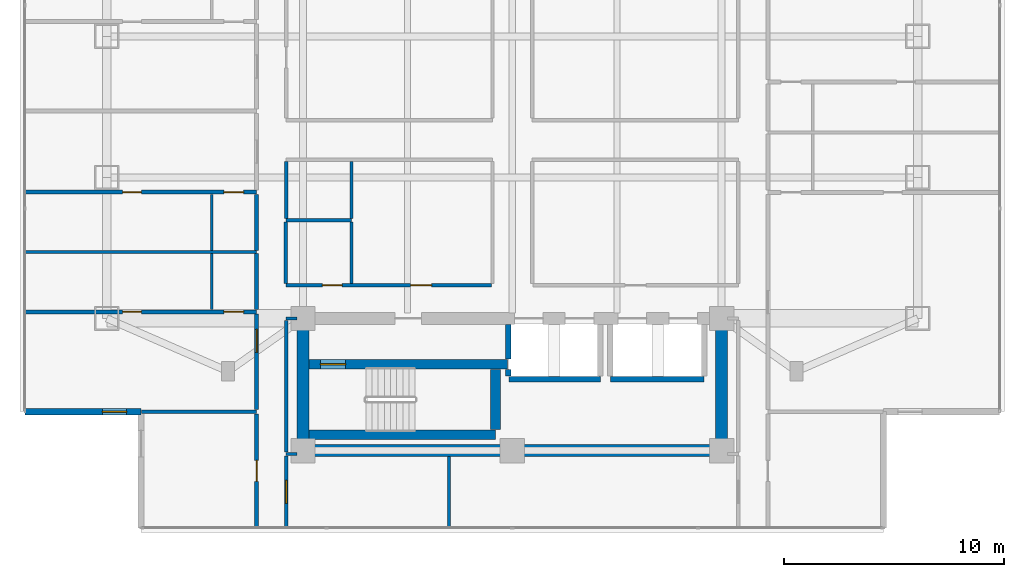
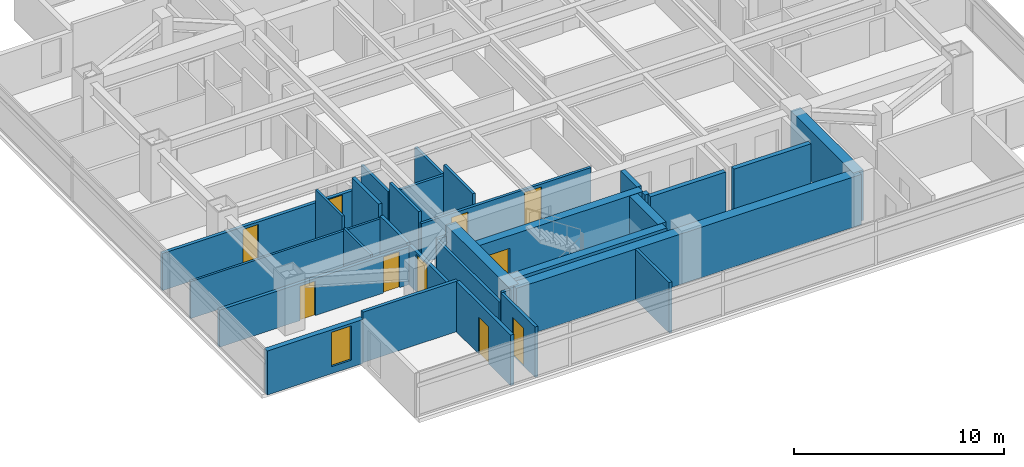
# One storey, part 13 of 24: 32 walls, 10 doors, 1 window, 11 openings.
"""IFC4 building model written with IfcOpenShell, lengths in metres."""

from ifc_helpers import new_model, si_unit, direction, frame, frame_2d, origin, place, context, subcontext, project, spatial, rectangle, extrude, material, layer, layer_set, type_object, element, fill, save


model = new_model("IFC4")

# Units and contexts
model_context = context("Model", 3, precision=1e-05, world=origin(), true_north=direction((0.0, 1.0)))
body_context = subcontext(model_context, "Body", "Model", "MODEL_VIEW")
ifc_project = project(units=[si_unit("LENGTHUNIT", "METRE"), si_unit("AREAUNIT", "SQUARE_METRE"), si_unit("VOLUMEUNIT", "CUBIC_METRE"), si_unit("PLANEANGLEUNIT", "RADIAN"), si_unit("MASSUNIT", "GRAM", prefix="KILO")], contexts=[model_context])

# Site, building, storey
site_placement = place(None, origin())
site = spatial("IfcSite", under=ifc_project, at=site_placement, CompositionType="ELEMENT")
building_placement = place(site_placement, origin())
building = spatial("IfcBuilding", under=site, at=building_placement, Name="Mirazonda Arch Towers", CompositionType="ELEMENT")
storey_placement = place(building_placement, frame((0.0, 0.0, 144.5)))
storey = spatial("IfcBuildingStorey", under=building, at=storey_placement, Name="L41", CompositionType="ELEMENT", Elevation=144.5)

# Wall
ifc_material_1 = material(Name="Concrete C50/60", Category="concrete")
ifc_layer_1 = layer(ifc_material_1, 0.449951171875, Name="WALL-CORE-450")
ifc_layer_set_1 = layer_set([ifc_layer_1], Name="Concrete C50/60")
wall_type_1 = type_object("IfcWallType", Name="WALL-CORE-450", PredefinedType="SHEAR", material=ifc_layer_set_1)
wall_1_placement = place(storey_placement, frame((11.27001953125, 13.1201171875, 0.0), z_axis=(0.0, 0.0, 1.0), x_axis=(1.0, 0.0, 0.0)))
element("IfcWall", 1, at=wall_1_placement, inside=storey, type_object=wall_type_1, Name="L41 Stair Core Shear Wall 003", PredefinedType="SHEAR", context=body_context, shape_type="SweptSolid", body=[
    extrude(rectangle(XDim=8.4599609375, YDim=0.449951171875, at=frame_2d((4.22998046875, 0.0))), origin(), (0.0, 0.0, 1.0), 2.93994140625),
])

# Wall, opening, door
wall_2_placement = place(storey_placement, frame((11.27001953125, 16.320068359375, 0.0), z_axis=(0.0, 0.0, 1.0), x_axis=(1.0, 0.0, 0.0)))
wall_2 = element("IfcWall", 2, at=wall_2_placement, inside=storey, type_object=wall_type_1, Name="L41 Stair Core Shear Wall 008", PredefinedType="SHEAR", context=body_context, shape_type="SweptSolid", body=[
    extrude(rectangle(XDim=9.010009765625, YDim=0.449951171875, at=frame_2d((4.5048828125, 0.0))), origin(), (0.0, 0.0, 1.0), 2.93994140625),
])
opening_1_placement = place(wall_2_placement, frame((0.52001953125, 0.0, 0.0)))
opening_1 = element("IfcOpeningElement", 3, at=opening_1_placement, cuts=wall_2, Name="Opening DR-135", PredefinedType="OPENING", context=body_context, shape_type="SweptSolid", body=[
    extrude(rectangle(XDim=1.14990234375, YDim=2.199951171875, at=frame_2d((0.574951171875, 1.10009765625))), frame((0.0, 0.23486328125, 0.0), z_axis=(0.0, -1.0, 0.0), x_axis=(1.0, 0.0, 0.0)), (0.0, 0.0, 1.0), 0.469970703125),
])
ifc_material_2 = material(Name="Architectural Brushed Steel S355", Category="steel")
door_type_1 = type_object("IfcDoorType", Name="DOOR-STAIR-FD90-1150", OperationType="NOTDEFINED", PredefinedType="DOOR", material=ifc_material_2)
door_1_placement = place(opening_1_placement, origin())
door_1 = element("IfcDoor", 4, at=door_1_placement, inside=storey, type_object=door_type_1, Name="L41 Protected Exit Stair South Door", OperationType="SINGLE_SWING_RIGHT", OverallHeight=2.199951171875, OverallWidth=1.14990234375, PredefinedType="DOOR", context=body_context, shape_type="SweptSolid", body=[
    extrude(rectangle(XDim=1.14990234375, YDim=2.199951171875, at=frame_2d((0.574951171875, 1.10009765625))), frame((0.0, 0.02490234375, 0.0), z_axis=(0.0, -1.0, 0.0), x_axis=(1.0, 0.0, 0.0)), (0.0, 0.0, 1.0), 0.050048828125),
])
fill(opening_1, door_1)

# Walls
wall_3_placement = place(storey_placement, frame((19.72998046875, 13.35498046875, 0.0), z_axis=(0.0, 0.0, 1.0), x_axis=(0.0, 1.0, 0.0)))
element("IfcWall", 5, at=wall_3_placement, inside=storey, type_object=wall_type_1, Name="L41 Stair Core Shear Wall 092", PredefinedType="SHEAR", context=body_context, shape_type="SweptSolid", body=[
    extrude(rectangle(XDim=2.72998046875, YDim=0.449951171875, at=frame_2d((1.364990234375, 0.0))), origin(), (0.0, 0.0, 1.0), 2.93994140625),
])
ifc_layer_2 = layer(ifc_material_1, 0.550048828125, Name="WALL-CORE-550")
ifc_layer_set_2 = layer_set([ifc_layer_2], Name="Concrete C50/60")
wall_type_2 = type_object("IfcWallType", Name="WALL-CORE-550", PredefinedType="SHEAR", material=ifc_layer_set_2)
wall_4_placement = place(storey_placement, frame((11.0, 12.39990234375, 0.0), z_axis=(0.0, 0.0, 1.0), x_axis=(1.0, 0.0, 0.0)))
element("IfcWall", 6, at=wall_4_placement, inside=storey, type_object=wall_type_2, Name="L41 T1S-S Core Shear Wall", PredefinedType="SHEAR", context=body_context, shape_type="SweptSolid", body=[
    extrude(rectangle(XDim=19.0, YDim=0.550048828125, at=frame_2d((9.5, 0.0))), origin(), (0.0, 0.0, 1.0), 2.93994140625),
])
for number, where, z_axis, x_axis, name in (
    (7, (11.0, 12.39990234375, 0.0), (0.0, 0.0, 1.0), (0.0, 1.0, 0.0), "L41 T1S-W Core Shear Wall"),
    (8, (30.0, 12.39990234375, 0.0), (0.0, 0.0, 1.0), (0.0, 1.0, 0.0), "L41 T1S-E Core Shear Wall"),
):
    element("IfcWall", number, at=place(storey_placement, frame(where, z_axis=z_axis, x_axis=x_axis)), inside=storey, type_object=wall_type_2, Name=name, PredefinedType="SHEAR", context=body_context, shape_type="SweptSolid", body=[
        extrude(rectangle(XDim=6.0, YDim=0.550048828125, at=frame_2d((3.0, 0.0))), origin(), (0.0, 0.0, 1.0), 2.93994140625),
    ])

# Wall, opening, window
ifc_material_3 = material(Name="Precast Concrete C40/50", Category="concrete")
ifc_layer_3 = layer(ifc_material_3, 0.280029296875, Name="WALL-EXT-WALL-280")
ifc_layer_set_3 = layer_set([ifc_layer_3], Name="Precast Concrete C40/50")
wall_type_3 = type_object("IfcWallType", Name="WALL-EXT-WALL-280", PredefinedType="SOLIDWALL", material=ifc_layer_set_3)
wall_5_placement = place(storey_placement, frame((-1.6201171875, 14.166015625, 0.0), z_axis=(0.0, 0.0, 1.0), x_axis=(1.0, 0.0, 0.0)))
wall_5 = element("IfcWall", 9, at=wall_5_placement, inside=storey, type_object=wall_type_3, Name="L41 T1 Corner Notch Return Wall WL-L41-T1-CSW2", PredefinedType="SOLIDWALL", context=body_context, shape_type="SweptSolid", body=[
    extrude(rectangle(XDim=5.27001953125, YDim=0.280029296875, at=frame_2d((2.635009765625, 0.0))), origin(), (0.0, 0.0, 1.0), 2.56005859375),
])
opening_2_placement = place(wall_5_placement, frame((3.52001953125, 0.0, 0.409912109375)))
opening_2 = element("IfcOpeningElement", 10, at=opening_2_placement, cuts=wall_5, Name="Opening WN-108", PredefinedType="OPENING", context=body_context, shape_type="SweptSolid", body=[
    extrude(rectangle(XDim=1.10009765625, YDim=2.0, at=frame_2d((0.550048828125, 1.0))), frame((0.0, 0.14990234375, 0.0), z_axis=(0.0, -1.0, 0.0), x_axis=(1.0, 0.0, 0.0)), (0.0, 0.0, 1.0), 0.300048828125),
])
ifc_material_4 = material(Name="Insulated Low-E Solar Glass", Category="glass")
window_type = type_object("IfcWindowType", Name="WIN-NOTCH-1100x2000", PartitioningType="SINGLE_PANEL", PredefinedType="WINDOW", material=ifc_material_4)
window_placement = place(opening_2_placement, origin())
window = element("IfcWindow", 11, at=window_placement, inside=storey, type_object=window_type, Name="L41 Punched Facade Window WN-L41-T1-CSW2", OverallHeight=2.0, OverallWidth=1.10009765625, PartitioningType="SINGLE_PANEL", PredefinedType="WINDOW", context=body_context, shape_type="SweptSolid", body=[
    extrude(rectangle(XDim=1.10009765625, YDim=2.0, at=frame_2d((0.550048828125, 1.0))), frame((0.0, 0.030029296875, 0.0), z_axis=(0.0, -1.0, 0.0), x_axis=(1.0, 0.0, 0.0)), (0.0, 0.0, 1.0), 0.06005859375),
])
fill(opening_2, window)

# Walls
ifc_material_5 = material(Name="Fire-Rated Gypsum Stud Partition")
ifc_layer_4 = layer(ifc_material_5, 0.14990234375, Name="WALL-PART-CORR-150")
ifc_layer_set_4 = layer_set([ifc_layer_4], Name="Fire-Rated Gypsum Stud Partition")
wall_type_4 = type_object("IfcWallType", Name="WALL-PART-CORR-150", PredefinedType="PARTITIONING", material=ifc_layer_set_4)
wall_6_placement = place(storey_placement, frame((10.239990234375, 12.25, 0.0), z_axis=(0.0, 0.0, 1.0), x_axis=(1.0, 0.0, 0.0)))
element("IfcWall", 12, at=wall_6_placement, inside=storey, type_object=wall_type_4, Name="L41 Interior Partition 001", PredefinedType="PARTITIONING", context=body_context, shape_type="SweptSolid", body=[
    extrude(rectangle(XDim=0.489990234375, YDim=0.14990234375, at=frame_2d((0.2451171875, 0.0))), origin(), (0.0, 0.0, 1.0), 2.93994140625),
])
wall_7_placement = place(storey_placement, frame((10.239990234375, 18.39990234375, 0.0), z_axis=(0.0, 0.0, 1.0), x_axis=(1.0, 0.0, 0.0)))
element("IfcWall", 13, at=wall_7_placement, inside=storey, type_object=wall_type_4, Name="L41 Interior Partition 012", PredefinedType="PARTITIONING", context=body_context, shape_type="SweptSolid", body=[
    extrude(rectangle(XDim=0.489990234375, YDim=0.14990234375, at=frame_2d((0.2451171875, 0.0))), origin(), (0.0, 0.0, 1.0), 2.31591796875),
])

# Wall, openings, doors
wall_8_placement = place(storey_placement, frame((10.219970703125, 19.89990234375, 0.0), z_axis=(0.0, 0.0, 1.0), x_axis=(1.0, 0.0, 0.0)))
wall_8 = element("IfcWall", 14, at=wall_8_placement, inside=storey, type_object=wall_type_4, Name="L41 Interior Partition 016", PredefinedType="PARTITIONING", context=body_context, shape_type="SweptSolid", body=[
    extrude(rectangle(XDim=9.340087890625, YDim=0.14990234375, at=frame_2d((4.669921875, 0.0))), origin(), (0.0, 0.0, 1.0), 2.31591796875),
])
opening_3_placement = place(wall_8_placement, frame((1.659912109375, 0.0, 0.0)))
opening_3 = element("IfcOpeningElement", 15, at=opening_3_placement, cuts=wall_8, Name="Opening DR-120", PredefinedType="OPENING", context=body_context, shape_type="SweptSolid", body=[
    extrude(rectangle(XDim=0.89990234375, YDim=2.10009765625, at=frame_2d((0.449951171875, 1.050048828125))), frame((0.0, 0.0849609375, 0.0), z_axis=(0.0, -1.0, 0.0), x_axis=(1.0, 0.0, 0.0)), (0.0, 0.0, 1.0), 0.169921875),
])
opening_4_placement = place(wall_8_placement, frame((5.6650390625, 0.0, 0.0)))
opening_4 = element("IfcOpeningElement", 16, at=opening_4_placement, cuts=wall_8, Name="Opening DR-104", PredefinedType="OPENING", context=body_context, shape_type="SweptSolid", body=[
    extrude(rectangle(XDim=0.949951171875, YDim=2.14990234375, at=frame_2d((0.47509765625, 1.074951171875))), frame((0.0, 0.0849609375, 0.0), z_axis=(0.0, -1.0, 0.0), x_axis=(1.0, 0.0, 0.0)), (0.0, 0.0, 1.0), 0.169921875),
])
door_type_2 = type_object("IfcDoorType", Name="DOOR-ROOM-950", OperationType="NOTDEFINED", PredefinedType="DOOR", material=ifc_material_2)
door_2_placement = place(opening_4_placement, origin())
door_2 = element("IfcDoor", 17, at=door_2_placement, inside=storey, type_object=door_type_2, Name="L41 L41 West Courtyard Study Door", OperationType="SINGLE_SWING_RIGHT", OverallHeight=2.14990234375, OverallWidth=0.949951171875, PredefinedType="DOOR", context=body_context, shape_type="SweptSolid", body=[
    extrude(rectangle(XDim=0.949951171875, YDim=2.14990234375, at=frame_2d((0.47509765625, 1.074951171875))), frame((0.0, 0.02490234375, 0.0), z_axis=(0.0, -1.0, 0.0), x_axis=(1.0, 0.0, 0.0)), (0.0, 0.0, 1.0), 0.050048828125),
])
fill(opening_4, door_2)
door_type_3 = type_object("IfcDoorType", Name="DOOR-WC-900", OperationType="NOTDEFINED", PredefinedType="DOOR", material=ifc_material_2)
door_3_placement = place(opening_3_placement, origin())
door_3 = element("IfcDoor", 18, at=door_3_placement, inside=storey, type_object=door_type_3, Name="L41 Common Accessible WC Door", OperationType="SINGLE_SWING_LEFT", OverallHeight=2.10009765625, OverallWidth=0.89990234375, PredefinedType="DOOR", context=body_context, shape_type="SweptSolid", body=[
    extrude(rectangle(XDim=0.89990234375, YDim=2.10009765625, at=frame_2d((0.449951171875, 1.050048828125))), frame((0.0, 0.02490234375, 0.0), z_axis=(0.0, -1.0, 0.0), x_axis=(1.0, 0.0, 0.0)), (0.0, 0.0, 1.0), 0.050048828125),
])
fill(opening_3, door_3)

# Walls
wall_9_placement = place(storey_placement, frame((10.219970703125, 22.85009765625, 0.0), z_axis=(0.0, 0.0, 1.0), x_axis=(1.0, 0.0, 0.0)))
element("IfcWall", 19, at=wall_9_placement, inside=storey, type_object=wall_type_4, Name="L41 Interior Partition 024", PredefinedType="PARTITIONING", context=body_context, shape_type="SweptSolid", body=[
    extrude(rectangle(XDim=2.97998046875, YDim=0.14990234375, at=frame_2d((1.489990234375, 0.0))), origin(), (0.0, 0.0, 1.0), 2.31591796875),
])
wall_10_placement = place(storey_placement, frame((10.219970703125, 19.985107421875, 0.0), z_axis=(0.0, 0.0, 1.0), x_axis=(0.0, 1.0, 0.0)))
element("IfcWall", 20, at=wall_10_placement, inside=storey, type_object=wall_type_4, Name="L41 Interior Partition 077", PredefinedType="PARTITIONING", context=body_context, shape_type="SweptSolid", body=[
    extrude(rectangle(XDim=2.77978515625, YDim=0.14990234375, at=frame_2d((1.389892578125, 0.0))), origin(), (0.0, 0.0, 1.0), 2.93994140625),
])

# Wall, opening, door
wall_11_placement = place(storey_placement, frame((10.239990234375, 8.89599609375, 0.0), z_axis=(0.0, 0.0, 1.0), x_axis=(0.0, 1.0, 0.0)))
wall_11 = element("IfcWall", 21, at=wall_11_placement, inside=storey, type_object=wall_type_4, Name="L41 Interior Partition 078", PredefinedType="PARTITIONING", context=body_context, shape_type="SweptSolid", body=[
    extrude(rectangle(XDim=3.26904296875, YDim=0.14990234375, at=frame_2d((1.634521484375, 0.0))), origin(), (0.0, 0.0, 1.0), 2.93994140625),
])
opening_5_placement = place(wall_11_placement, frame((1.109619140625, 0.0, 0.0)))
opening_5 = element("IfcOpeningElement", 22, at=opening_5_placement, cuts=wall_11, Name="Opening DR-121", PredefinedType="OPENING", context=body_context, shape_type="SweptSolid", body=[
    extrude(rectangle(XDim=1.050048828125, YDim=2.199951171875, at=frame_2d((0.52490234375, 1.10009765625))), frame((0.0, 0.0849609375, 0.0), z_axis=(0.0, -1.0, 0.0), x_axis=(1.0, 0.0, 0.0)), (0.0, 0.0, 1.0), 0.169921875),
])
door_type_4 = type_object("IfcDoorType", Name="DOOR-SUITE-FD60-1050", OperationType="NOTDEFINED", PredefinedType="DOOR", material=ifc_material_2)
door_4_placement = place(opening_5_placement, origin())
door_4 = element("IfcDoor", 23, at=door_4_placement, inside=storey, type_object=door_type_4, Name="L41 South Horizon Lounge Minor Door", OperationType="SINGLE_SWING_RIGHT", OverallHeight=2.199951171875, OverallWidth=1.050048828125, PredefinedType="DOOR", context=body_context, shape_type="SweptSolid", body=[
    extrude(rectangle(XDim=1.050048828125, YDim=2.199951171875, at=frame_2d((0.52490234375, 1.10009765625))), frame((0.0, 0.02490234375, 0.0), z_axis=(0.0, -1.0, 0.0), x_axis=(1.0, 0.0, 0.0)), (0.0, 0.0, 1.0), 0.050048828125),
])
fill(opening_5, door_4)

# Walls
wall_12_placement = place(storey_placement, frame((10.239990234375, 12.3349609375, 0.0), z_axis=(0.0, 0.0, 1.0), x_axis=(0.0, 1.0, 0.0)))
element("IfcWall", 24, at=wall_12_placement, inside=storey, type_object=wall_type_4, Name="L41 Interior Partition 079", PredefinedType="PARTITIONING", context=body_context, shape_type="SweptSolid", body=[
    extrude(rectangle(XDim=5.97998046875, YDim=0.14990234375, at=frame_2d((2.989990234375, 0.0))), origin(), (0.0, 0.0, 1.0), 2.31591796875),
])
wall_13_placement = place(storey_placement, frame((10.239990234375, 22.93505859375, 0.0), z_axis=(0.0, 0.0, 1.0), x_axis=(0.0, 1.0, 0.0)))
element("IfcWall", 25, at=wall_13_placement, inside=storey, type_object=wall_type_4, Name="L41 Interior Partition 080", PredefinedType="PARTITIONING", context=body_context, shape_type="SweptSolid", body=[
    extrude(rectangle(XDim=2.579833984375, YDim=0.14990234375, at=frame_2d((1.2900390625, 0.0))), origin(), (0.0, 0.0, 1.0), 2.31591796875),
])
wall_14_placement = place(storey_placement, frame((13.199951171875, 19.985107421875, 0.0), z_axis=(0.0, 0.0, 1.0), x_axis=(0.0, 1.0, 0.0)))
element("IfcWall", 26, at=wall_14_placement, inside=storey, type_object=wall_type_4, Name="L41 Interior Partition 085", PredefinedType="PARTITIONING", context=body_context, shape_type="SweptSolid", body=[
    extrude(rectangle(XDim=2.77978515625, YDim=0.14990234375, at=frame_2d((1.389892578125, 0.0))), origin(), (0.0, 0.0, 1.0), 2.93994140625),
])
wall_15_placement = place(storey_placement, frame((13.199951171875, 22.93505859375, 0.0), z_axis=(0.0, 0.0, 1.0), x_axis=(0.0, 1.0, 0.0)))
element("IfcWall", 27, at=wall_15_placement, inside=storey, type_object=wall_type_4, Name="L41 Interior Partition 086", PredefinedType="PARTITIONING", context=body_context, shape_type="SweptSolid", body=[
    extrude(rectangle(XDim=2.579833984375, YDim=0.14990234375, at=frame_2d((1.2900390625, 0.0))), origin(), (0.0, 0.0, 1.0), 2.31591796875),
])
wall_16_placement = place(storey_placement, frame((17.626953125, 8.89599609375, 0.0), z_axis=(0.0, 0.0, 1.0), x_axis=(0.0, 1.0, 0.0)))
element("IfcWall", 28, at=wall_16_placement, inside=storey, type_object=wall_type_4, Name="L41 Interior Partition 088", PredefinedType="PARTITIONING", context=body_context, shape_type="SweptSolid", body=[
    extrude(rectangle(XDim=3.23388671875, YDim=0.14990234375, at=frame_2d((1.616943359375, 0.0))), origin(), (0.0, 0.0, 1.0), 2.93994140625),
])
ifc_material_6 = material(Name="Fire-Rated Gypsum Twin-Stud Assembly")
ifc_layer_5 = layer(ifc_material_6, 0.179931640625, Name="WALL-PART-DEMISE-180")
ifc_layer_set_5 = layer_set([ifc_layer_5], Name="Fire-Rated Gypsum Twin-Stud Assembly")
wall_type_5 = type_object("IfcWallType", Name="WALL-PART-DEMISE-180", PredefinedType="PARTITIONING", material=ifc_layer_set_5)
wall_17_placement = place(storey_placement, frame((3.669921875, 14.166015625, 0.0), z_axis=(0.0, 0.0, 1.0), x_axis=(1.0, 0.0, 0.0)))
element("IfcWall", 29, at=wall_17_placement, inside=storey, type_object=wall_type_5, Name="L41 Interior Partition 004", PredefinedType="PARTITIONING", context=body_context, shape_type="SweptSolid", body=[
    extrude(rectangle(XDim=5.22998046875, YDim=0.179931640625, at=frame_2d((2.614990234375, 0.0))), origin(), (0.0, 0.0, 1.0), 2.93994140625),
])

# Wall, openings, doors
wall_18_placement = place(storey_placement, frame((-1.6201171875, 18.695068359375, 0.0), z_axis=(0.0, 0.0, 1.0), x_axis=(1.0, 0.0, 0.0)))
wall_18 = element("IfcWall", 30, at=wall_18_placement, inside=storey, type_object=wall_type_5, Name="L41 Interior Partition 015", PredefinedType="PARTITIONING", context=body_context, shape_type="SweptSolid", body=[
    extrude(rectangle(XDim=10.52001953125, YDim=0.179931640625, at=frame_2d((5.260009765625, 0.0))), origin(), (0.0, 0.0, 1.0), 2.158935546875),
])
opening_6_placement = place(wall_18_placement, frame((4.43505859375, 0.0, 0.0)))
opening_6 = element("IfcOpeningElement", 31, at=opening_6_placement, cuts=wall_18, Name="Opening DR-128", PredefinedType="OPENING", context=body_context, shape_type="SweptSolid", body=[
    extrude(rectangle(XDim=0.85009765625, YDim=2.010009765625, at=frame_2d((0.425048828125, 1.0048828125))), frame((0.0, 0.099853515625, 0.0), z_axis=(0.0, -1.0, 0.0), x_axis=(1.0, 0.0, 0.0)), (0.0, 0.0, 1.0), 0.199951171875),
])
opening_7_placement = place(wall_18_placement, frame((9.030029296875, 0.0, 0.0)))
opening_7 = element("IfcOpeningElement", 32, at=opening_7_placement, cuts=wall_18, Name="Opening DR-120", PredefinedType="OPENING", context=body_context, shape_type="SweptSolid", body=[
    extrude(rectangle(XDim=0.89990234375, YDim=2.10009765625, at=frame_2d((0.449951171875, 1.050048828125))), frame((0.0, 0.099853515625, 0.0), z_axis=(0.0, -1.0, 0.0), x_axis=(1.0, 0.0, 0.0)), (0.0, 0.0, 1.0), 0.199951171875),
])
door_type_5 = type_object("IfcDoorType", Name="DOOR-RISER-FD60-850", OperationType="NOTDEFINED", PredefinedType="DOOR", material=ifc_material_2)
door_5_placement = place(opening_6_placement, origin())
door_5 = element("IfcDoor", 33, at=door_5_placement, inside=storey, type_object=door_type_5, Name="L41 Guestroom Study 1 Door", OperationType="SINGLE_SWING_LEFT", OverallHeight=2.010009765625, OverallWidth=0.85009765625, PredefinedType="DOOR", context=body_context, shape_type="SweptSolid", body=[
    extrude(rectangle(XDim=0.85009765625, YDim=2.010009765625, at=frame_2d((0.425048828125, 1.0048828125))), frame((0.0, 0.02490234375, 0.0), z_axis=(0.0, -1.0, 0.0), x_axis=(1.0, 0.0, 0.0)), (0.0, 0.0, 1.0), 0.050048828125),
])
fill(opening_6, door_5)
door_6_placement = place(opening_7_placement, origin())
door_6 = element("IfcDoor", 34, at=door_6_placement, inside=storey, type_object=door_type_3, Name="L41 En-Suite Bathroom 1 Door", OperationType="SINGLE_SWING_RIGHT", OverallHeight=2.10009765625, OverallWidth=0.89990234375, PredefinedType="DOOR", context=body_context, shape_type="SweptSolid", body=[
    extrude(rectangle(XDim=0.89990234375, YDim=2.10009765625, at=frame_2d((0.449951171875, 1.050048828125))), frame((0.0, 0.02490234375, 0.0), z_axis=(0.0, -1.0, 0.0), x_axis=(1.0, 0.0, 0.0)), (0.0, 0.0, 1.0), 0.050048828125),
])
fill(opening_7, door_6)

wall_19_placement = place(storey_placement, frame((-1.6201171875, 24.135009765625, 0.0), z_axis=(0.0, 0.0, 1.0), x_axis=(1.0, 0.0, 0.0)))
wall_19 = element("IfcWall", 35, at=wall_19_placement, inside=storey, type_object=wall_type_5, Name="L41 Interior Partition 026", PredefinedType="PARTITIONING", context=body_context, shape_type="SweptSolid", body=[
    extrude(rectangle(XDim=10.52001953125, YDim=0.179931640625, at=frame_2d((5.260009765625, 0.0))), origin(), (0.0, 0.0, 1.0), 2.158935546875),
])
opening_8_placement = place(wall_19_placement, frame((4.43505859375, 0.0, 0.0)))
opening_8 = element("IfcOpeningElement", 36, at=opening_8_placement, cuts=wall_19, Name="Opening DR-128", PredefinedType="OPENING", context=body_context, shape_type="SweptSolid", body=[
    extrude(rectangle(XDim=0.85009765625, YDim=2.010009765625, at=frame_2d((0.425048828125, 1.0048828125))), frame((0.0, 0.099853515625, 0.0), z_axis=(0.0, -1.0, 0.0), x_axis=(1.0, 0.0, 0.0)), (0.0, 0.0, 1.0), 0.199951171875),
])
opening_9_placement = place(wall_19_placement, frame((9.030029296875, 0.0, 0.0)))
opening_9 = element("IfcOpeningElement", 37, at=opening_9_placement, cuts=wall_19, Name="Opening DR-120", PredefinedType="OPENING", context=body_context, shape_type="SweptSolid", body=[
    extrude(rectangle(XDim=0.89990234375, YDim=2.10009765625, at=frame_2d((0.449951171875, 1.050048828125))), frame((0.0, 0.099853515625, 0.0), z_axis=(0.0, -1.0, 0.0), x_axis=(1.0, 0.0, 0.0)), (0.0, 0.0, 1.0), 0.199951171875),
])
door_7_placement = place(opening_8_placement, origin())
door_7 = element("IfcDoor", 38, at=door_7_placement, inside=storey, type_object=door_type_5, Name="L41 Guestroom Study 2 Door", OperationType="SINGLE_SWING_RIGHT", OverallHeight=2.010009765625, OverallWidth=0.85009765625, PredefinedType="DOOR", context=body_context, shape_type="SweptSolid", body=[
    extrude(rectangle(XDim=0.85009765625, YDim=2.010009765625, at=frame_2d((0.425048828125, 1.0048828125))), frame((0.0, 0.02490234375, 0.0), z_axis=(0.0, -1.0, 0.0), x_axis=(1.0, 0.0, 0.0)), (0.0, 0.0, 1.0), 0.050048828125),
])
fill(opening_8, door_7)
door_8_placement = place(opening_9_placement, origin())
door_8 = element("IfcDoor", 39, at=door_8_placement, inside=storey, type_object=door_type_3, Name="L41 En-Suite Bathroom 2 Door", OperationType="SINGLE_SWING_LEFT", OverallHeight=2.10009765625, OverallWidth=0.89990234375, PredefinedType="DOOR", context=body_context, shape_type="SweptSolid", body=[
    extrude(rectangle(XDim=0.89990234375, YDim=2.10009765625, at=frame_2d((0.449951171875, 1.050048828125))), frame((0.0, 0.02490234375, 0.0), z_axis=(0.0, -1.0, 0.0), x_axis=(1.0, 0.0, 0.0)), (0.0, 0.0, 1.0), 0.050048828125),
])
fill(opening_9, door_8)

# Wall, opening, door
wall_20_placement = place(storey_placement, frame((8.89990234375, 8.89599609375, 0.0), z_axis=(0.0, 0.0, 1.0), x_axis=(0.0, 1.0, 0.0)))
wall_20 = element("IfcWall", 40, at=wall_20_placement, inside=storey, type_object=wall_type_5, Name="L41 Interior Partition 067", PredefinedType="PARTITIONING", context=body_context, shape_type="SweptSolid", body=[
    extrude(rectangle(XDim=5.169921875, YDim=0.179931640625, at=frame_2d((2.5849609375, 0.0))), origin(), (0.0, 0.0, 1.0), 2.93994140625),
])
opening_10_placement = place(wall_20_placement, frame((2.110107421875, 0.0, 0.0)))
opening_10 = element("IfcOpeningElement", 41, at=opening_10_placement, cuts=wall_20, Name="Opening DR-104", PredefinedType="OPENING", context=body_context, shape_type="SweptSolid", body=[
    extrude(rectangle(XDim=0.949951171875, YDim=2.14990234375, at=frame_2d((0.47509765625, 1.074951171875))), frame((0.0, 0.099853515625, 0.0), z_axis=(0.0, -1.0, 0.0), x_axis=(1.0, 0.0, 0.0)), (0.0, 0.0, 1.0), 0.199951171875),
])
door_9_placement = place(opening_10_placement, origin())
door_9 = element("IfcDoor", 42, at=door_9_placement, inside=storey, type_object=door_type_2, Name="L41 South Horizon Lounge Alcove West Door", OperationType="SINGLE_SWING_RIGHT", OverallHeight=2.14990234375, OverallWidth=0.949951171875, PredefinedType="DOOR", context=body_context, shape_type="SweptSolid", body=[
    extrude(rectangle(XDim=0.949951171875, YDim=2.14990234375, at=frame_2d((0.47509765625, 1.074951171875))), frame((0.0, 0.02490234375, 0.0), z_axis=(0.0, -1.0, 0.0), x_axis=(1.0, 0.0, 0.0)), (0.0, 0.0, 1.0), 0.050048828125),
])
fill(opening_10, door_9)

wall_21_placement = place(storey_placement, frame((8.89990234375, 14.26611328125, 0.0), z_axis=(0.0, 0.0, 1.0), x_axis=(0.0, 1.0, 0.0)))
wall_21 = element("IfcWall", 43, at=wall_21_placement, inside=storey, type_object=wall_type_5, Name="L41 Interior Partition 068", PredefinedType="PARTITIONING", context=body_context, shape_type="SweptSolid", body=[
    extrude(rectangle(XDim=4.328857421875, YDim=0.179931640625, at=frame_2d((2.16455078125, 0.0))), origin(), (0.0, 0.0, 1.0), 2.31591796875),
])
opening_11_placement = place(wall_21_placement, frame((2.589599609375, 0.0, 0.0)))
opening_11 = element("IfcOpeningElement", 44, at=opening_11_placement, cuts=wall_21, Name="Opening DR-121", PredefinedType="OPENING", context=body_context, shape_type="SweptSolid", body=[
    extrude(rectangle(XDim=1.050048828125, YDim=2.199951171875, at=frame_2d((0.52490234375, 1.10009765625))), frame((0.0, 0.099853515625, 0.0), z_axis=(0.0, -1.0, 0.0), x_axis=(1.0, 0.0, 0.0)), (0.0, 0.0, 1.0), 0.199951171875),
])
door_10_placement = place(opening_11_placement, origin())
door_10 = element("IfcDoor", 45, at=door_10_placement, inside=storey, type_object=door_type_4, Name="L41 King Hotel Guestroom 1 Door", OperationType="SINGLE_SWING_RIGHT", OverallHeight=2.199951171875, OverallWidth=1.050048828125, PredefinedType="DOOR", context=body_context, shape_type="SweptSolid", body=[
    extrude(rectangle(XDim=1.050048828125, YDim=2.199951171875, at=frame_2d((0.52490234375, 1.10009765625))), frame((0.0, 0.02490234375, 0.0), z_axis=(0.0, -1.0, 0.0), x_axis=(1.0, 0.0, 0.0)), (0.0, 0.0, 1.0), 0.050048828125),
])
fill(opening_11, door_10)

# Walls
wall_22_placement = place(storey_placement, frame((8.89990234375, 18.794921875, 0.0), z_axis=(0.0, 0.0, 1.0), x_axis=(0.0, 1.0, 0.0)))
element("IfcWall", 46, at=wall_22_placement, inside=storey, type_object=wall_type_5, Name="L41 Interior Partition 069", PredefinedType="PARTITIONING", context=body_context, shape_type="SweptSolid", body=[
    extrude(rectangle(XDim=2.547607421875, YDim=0.179931640625, at=frame_2d((1.27392578125, 0.0))), origin(), (0.0, 0.0, 1.0), 2.33203125),
])
wall_23_placement = place(storey_placement, frame((8.89990234375, 21.487548828125, 0.0), z_axis=(0.0, 0.0, 1.0), x_axis=(0.0, 1.0, 0.0)))
element("IfcWall", 47, at=wall_23_placement, inside=storey, type_object=wall_type_5, Name="L41 Interior Partition 070", PredefinedType="PARTITIONING", context=body_context, shape_type="SweptSolid", body=[
    extrude(rectangle(XDim=2.54736328125, YDim=0.179931640625, at=frame_2d((1.273681640625, 0.0))), origin(), (0.0, 0.0, 1.0), 2.93994140625),
])
ifc_material_7 = material(Name="Acoustic Fire-Rated Gypsum Partition")
ifc_layer_6 = layer(ifc_material_7, 0.125, Name="WALL-PART-UNIT-125")
ifc_layer_set_6 = layer_set([ifc_layer_6], Name="Acoustic Fire-Rated Gypsum Partition")
wall_type_6 = type_object("IfcWallType", Name="WALL-PART-UNIT-125", PredefinedType="PARTITIONING", material=ifc_layer_set_6)
wall_24_placement = place(storey_placement, frame((-1.6201171875, 21.4150390625, 0.0), z_axis=(0.0, 0.0, 1.0), x_axis=(1.0, 0.0, 0.0)))
element("IfcWall", 48, at=wall_24_placement, inside=storey, type_object=wall_type_6, Name="L41 Interior Partition 022", PredefinedType="PARTITIONING", context=body_context, shape_type="SweptSolid", body=[
    extrude(rectangle(XDim=10.52001953125, YDim=0.125, at=frame_2d((5.260009765625, 0.0))), origin(), (0.0, 0.0, 1.0), 2.158935546875),
])
wall_25_placement = place(storey_placement, frame((6.860107421875, 18.794921875, 0.0), z_axis=(0.0, 0.0, 1.0), x_axis=(0.0, 1.0, 0.0)))
element("IfcWall", 49, at=wall_25_placement, inside=storey, type_object=wall_type_6, Name="L41 Interior Partition 063", PredefinedType="PARTITIONING", context=body_context, shape_type="SweptSolid", body=[
    extrude(rectangle(XDim=2.547607421875, YDim=0.125, at=frame_2d((1.27392578125, 0.0))), origin(), (0.0, 0.0, 1.0), 2.33203125),
])
wall_26_placement = place(storey_placement, frame((6.860107421875, 21.487548828125, 0.0), z_axis=(0.0, 0.0, 1.0), x_axis=(0.0, 1.0, 0.0)))
element("IfcWall", 50, at=wall_26_placement, inside=storey, type_object=wall_type_6, Name="L41 Interior Partition 064", PredefinedType="PARTITIONING", context=body_context, shape_type="SweptSolid", body=[
    extrude(rectangle(XDim=2.54736328125, YDim=0.125, at=frame_2d((1.273681640625, 0.0))), origin(), (0.0, 0.0, 1.0), 2.93994140625),
])
ifc_material_8 = material(Name="Concrete C40/50", Category="concrete")
ifc_layer_7 = layer(ifc_material_8, 0.25, Name="WALL-SHAFT-250")
ifc_layer_set_7 = layer_set([ifc_layer_7], Name="Concrete C40/50")
wall_type_7 = type_object("IfcWallType", Name="WALL-SHAFT-250", PredefinedType="SOLIDWALL", material=ifc_layer_set_7)
wall_27_placement = place(storey_placement, frame((20.35009765625, 15.64990234375, 0.0), z_axis=(0.0, 0.0, 1.0), x_axis=(1.0, 0.0, 0.0)))
element("IfcWall", 51, at=wall_27_placement, inside=storey, type_object=wall_type_7, Name="L41 Interior Partition 006", PredefinedType="SOLIDWALL", context=body_context, shape_type="SweptSolid", body=[
    extrude(rectangle(XDim=4.14990234375, YDim=0.25, at=frame_2d((2.074951171875, 0.0))), origin(), (0.0, 0.0, 1.0), 2.93994140625),
])
wall_28_placement = place(storey_placement, frame((24.949951171875, 15.64990234375, 0.0), z_axis=(0.0, 0.0, 1.0), x_axis=(1.0, 0.0, 0.0)))
element("IfcWall", 52, at=wall_28_placement, inside=storey, type_object=wall_type_7, Name="L41 Interior Partition 007", PredefinedType="SOLIDWALL", context=body_context, shape_type="SweptSolid", body=[
    extrude(rectangle(XDim=4.25, YDim=0.25, at=frame_2d((2.125, 0.0))), origin(), (0.0, 0.0, 1.0), 2.93994140625),
])
wall_29_placement = place(storey_placement, frame((20.31494140625, 15.784912109375, 0.0), z_axis=(0.0, 0.0, 1.0), x_axis=(0.0, 1.0, 0.0)))
element("IfcWall", 53, at=wall_29_placement, inside=storey, type_object=wall_type_7, Name="L41 Interior Partition 094", PredefinedType="SOLIDWALL", context=body_context, shape_type="SweptSolid", body=[
    extrude(rectangle(XDim=0.300048828125, YDim=0.25, at=frame_2d((0.14990234375, 0.0))), origin(), (0.0, 0.0, 1.0), 2.93994140625),
])
wall_30_placement = place(storey_placement, frame((20.31494140625, 16.554931640625, 0.0), z_axis=(0.0, 0.0, 1.0), x_axis=(0.0, 1.0, 0.0)))
element("IfcWall", 54, at=wall_30_placement, inside=storey, type_object=wall_type_7, Name="L41 Interior Partition 095", PredefinedType="SOLIDWALL", context=body_context, shape_type="SweptSolid", body=[
    extrude(rectangle(XDim=1.574951171875, YDim=0.25, at=frame_2d((0.78759765625, 0.0))), origin(), (0.0, 0.0, 1.0), 2.93994140625),
])

save(model, "model.ifc")
